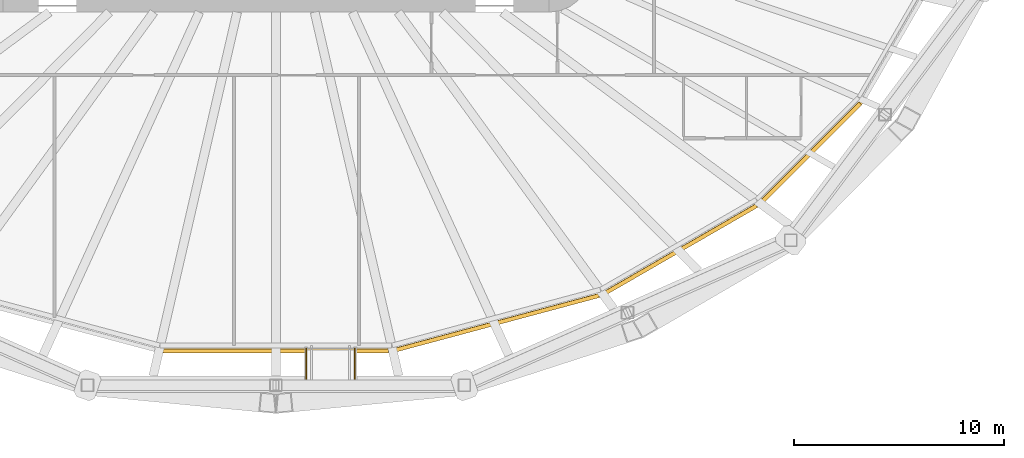
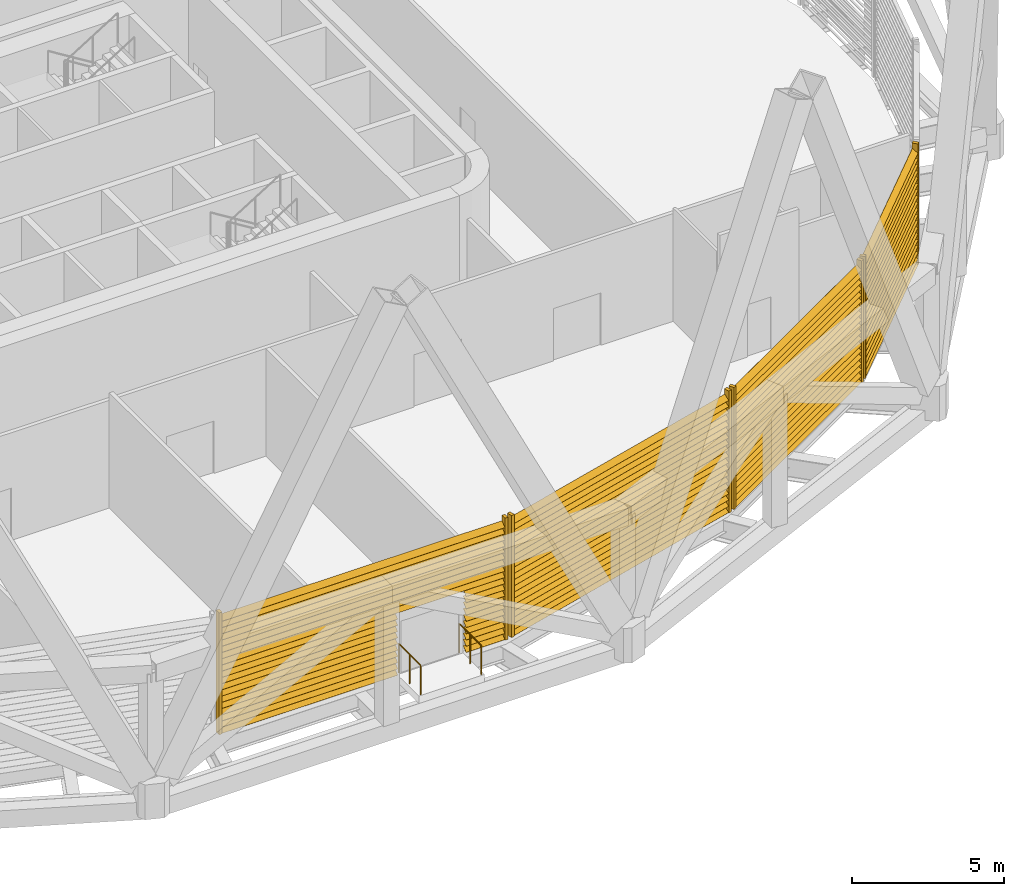
# One storey, part 14 of 18: 4 shading devices, 2 railings.
"""IFC4 building model written with IfcOpenShell, lengths in metres."""

from ifc_helpers import new_model, si_unit, direction, frame, origin, origin_2d, place, context, subcontext, project, spatial, rectangle, circle, extrude, material, type_object, element, save


model = new_model("IFC4")

# Units and contexts
model_context = context("Model", 3, precision=1e-05, world=origin(), true_north=direction((0.0, 1.0)))
body_context = subcontext(model_context, "Body", "Model", "MODEL_VIEW")
ifc_project = project(units=[si_unit("LENGTHUNIT", "METRE"), si_unit("AREAUNIT", "SQUARE_METRE"), si_unit("VOLUMEUNIT", "CUBIC_METRE"), si_unit("PLANEANGLEUNIT", "RADIAN"), si_unit("MASSUNIT", "GRAM", prefix="KILO")], contexts=[model_context])

# Site, building, storey
site_placement = place(None, origin())
site = spatial("IfcSite", under=ifc_project, at=site_placement, CompositionType="ELEMENT")
building_placement = place(site_placement, origin())
building = spatial("IfcBuilding", under=site, at=building_placement, Name="Sahrelin Media Tower", CompositionType="ELEMENT")
storey_placement = place(building_placement, frame((0.0, 0.0, 96.60009765625)))
storey = spatial("IfcBuildingStorey", under=building, at=storey_placement, Name="L18", CompositionType="ELEMENT", Elevation=96.60009765625)

# Railings
ifc_material_1 = material(Name="Stainless steel 316", Category="steel")
railing_type = type_object("IfcRailingType", Name="Maintenance platform guard", PredefinedType="GUARDRAIL", material=ifc_material_1)
for number, where, name in (
    (1, (1.449951171875, -24.01611328125, 0.0), "Maintenance platform guard L18-18-A"),
    (2, (3.75, -24.01611328125, 0.0), "Maintenance platform guard L18-18-B"),
):
    element("IfcRailing", number, at=place(storey_placement, frame(where)), inside=storey, type_object=railing_type, Name=name, PredefinedType="GUARDRAIL", context=body_context, shape_type="SweptSolid", body=[
        extrude(circle(Radius=0.02392578125, at=origin_2d()), frame((0.0, 0.0, 1.17578125), z_axis=(0.0, -1.0, 0.0), x_axis=(1.0, 0.0, 0.0)), (0.0, 0.0, 1.0), 1.445068359375),
        extrude(circle(Radius=0.02099609375, at=origin_2d()), origin(), (0.0, 0.0, 1.0), 1.15185546875),
        extrude(circle(Radius=0.02099609375, at=origin_2d()), frame((0.0, -0.72265625, 0.0)), (0.0, 0.0, 1.0), 1.15185546875),
        extrude(circle(Radius=0.02099609375, at=origin_2d()), frame((0.0, -1.445068359375, 0.0)), (0.0, 0.0, 1.0), 1.15185546875),
    ])

# Shading devices
ifc_material_2 = material(Name="Champagne anodised aluminium 6063-T6", Category="aluminium")
shading_device_type = type_object("IfcShadingDeviceType", Name="Sand-rejection louvre band", PredefinedType="USERDEFINED", material=ifc_material_2)
shading_device_1_placement = place(storey_placement, frame((0.0, -24.01611328125, 0.0), z_axis=(0.0, 0.0, 1.0), x_axis=(-1.0, 0.0, 0.0)))
element("IfcShadingDevice", 3, at=shading_device_1_placement, inside=storey, type_object=shading_device_type, Name="L18:LOUVRE:L18-18", ObjectType="LOUVRE", PredefinedType="USERDEFINED", context=body_context, shape_type="SweptSolid", body=[
    extrude(rectangle(XDim=0.1201171875, YDim=0.199951171875, at=origin_2d()), frame((5.429443359375, 0.10009765625, 0.050048828125), z_axis=(0.0, 0.0, 1.0), x_axis=(1.0, 0.0, 0.0)), (0.0, 0.0, 1.0), 4.8984375),
    extrude(rectangle(XDim=0.1201171875, YDim=0.199951171875, at=origin_2d()), frame((-5.429443359375, 0.10009765625, 0.050048828125), z_axis=(0.0, 0.0, 1.0), x_axis=(1.0, 0.0, 0.0)), (0.0, 0.0, 1.0), 4.8984375),
    extrude(rectangle(XDim=0.25, YDim=0.02001953125, at=origin_2d()), frame((5.369384765625, 0.10009765625, 0.14990234375), z_axis=(-1.0, 0.0, 0.0), x_axis=(0.0, -0.766044443119, 0.642787609687)), (0.0, 0.0, 1.0), 6.66943359375),
    extrude(rectangle(XDim=0.25, YDim=0.02001953125, at=origin_2d()), frame((-3.89990234375, 0.10009765625, 0.14990234375), z_axis=(-1.0, 0.0, 0.0), x_axis=(0.0, -0.766044443119, 0.642787609687)), (0.0, 0.0, 1.0), 1.469482421875),
    extrude(rectangle(XDim=0.25, YDim=0.02001953125, at=origin_2d()), frame((5.369384765625, 0.10009765625, 0.39990234375), z_axis=(-1.0, 0.0, 0.0), x_axis=(0.0, -0.766044443119, 0.642787609687)), (0.0, 0.0, 1.0), 6.66943359375),
    extrude(rectangle(XDim=0.25, YDim=0.02001953125, at=origin_2d()), frame((-3.89990234375, 0.10009765625, 0.39990234375), z_axis=(-1.0, 0.0, 0.0), x_axis=(0.0, -0.766044443119, 0.642787609687)), (0.0, 0.0, 1.0), 1.469482421875),
    extrude(rectangle(XDim=0.25, YDim=0.02001953125, at=origin_2d()), frame((5.369384765625, 0.10009765625, 0.64990234375), z_axis=(-1.0, 0.0, 0.0), x_axis=(0.0, -0.766044443119, 0.642787609687)), (0.0, 0.0, 1.0), 6.66943359375),
    extrude(rectangle(XDim=0.25, YDim=0.02001953125, at=origin_2d()), frame((-3.89990234375, 0.10009765625, 0.64990234375), z_axis=(-1.0, 0.0, 0.0), x_axis=(0.0, -0.766044443119, 0.642787609687)), (0.0, 0.0, 1.0), 1.469482421875),
    extrude(rectangle(XDim=0.25, YDim=0.02001953125, at=origin_2d()), frame((5.369384765625, 0.10009765625, 0.89990234375), z_axis=(-1.0, 0.0, 0.0), x_axis=(0.0, -0.766044443119, 0.642787609687)), (0.0, 0.0, 1.0), 6.66943359375),
    extrude(rectangle(XDim=0.25, YDim=0.02001953125, at=origin_2d()), frame((-3.89990234375, 0.10009765625, 0.89990234375), z_axis=(-1.0, 0.0, 0.0), x_axis=(0.0, -0.766044443119, 0.642787609687)), (0.0, 0.0, 1.0), 1.469482421875),
    extrude(rectangle(XDim=0.25, YDim=0.02001953125, at=origin_2d()), frame((5.369384765625, 0.10009765625, 1.14990234375), z_axis=(-1.0, 0.0, 0.0), x_axis=(0.0, -0.766044443119, 0.642787609687)), (0.0, 0.0, 1.0), 6.66943359375),
    extrude(rectangle(XDim=0.25, YDim=0.02001953125, at=origin_2d()), frame((-3.89990234375, 0.10009765625, 1.14990234375), z_axis=(-1.0, 0.0, 0.0), x_axis=(0.0, -0.766044443119, 0.642787609687)), (0.0, 0.0, 1.0), 1.469482421875),
    extrude(rectangle(XDim=0.25, YDim=0.02001953125, at=origin_2d()), frame((5.369384765625, 0.10009765625, 1.39990234375), z_axis=(-1.0, 0.0, 0.0), x_axis=(0.0, -0.766044443119, 0.642787609687)), (0.0, 0.0, 1.0), 6.66943359375),
    extrude(rectangle(XDim=0.25, YDim=0.02001953125, at=origin_2d()), frame((-3.89990234375, 0.10009765625, 1.39990234375), z_axis=(-1.0, 0.0, 0.0), x_axis=(0.0, -0.766044443119, 0.642787609687)), (0.0, 0.0, 1.0), 1.469482421875),
    extrude(rectangle(XDim=0.25, YDim=0.02001953125, at=origin_2d()), frame((5.369384765625, 0.10009765625, 1.64990234375), z_axis=(-1.0, 0.0, 0.0), x_axis=(0.0, -0.766044443119, 0.642787609687)), (0.0, 0.0, 1.0), 6.66943359375),
    extrude(rectangle(XDim=0.25, YDim=0.02001953125, at=origin_2d()), frame((-3.89990234375, 0.10009765625, 1.64990234375), z_axis=(-1.0, 0.0, 0.0), x_axis=(0.0, -0.766044443119, 0.642787609687)), (0.0, 0.0, 1.0), 1.469482421875),
    extrude(rectangle(XDim=0.25, YDim=0.02001953125, at=origin_2d()), frame((5.369384765625, 0.10009765625, 1.89990234375), z_axis=(-1.0, 0.0, 0.0), x_axis=(0.0, -0.766044443119, 0.642787609687)), (0.0, 0.0, 1.0), 6.66943359375),
    extrude(rectangle(XDim=0.25, YDim=0.02001953125, at=origin_2d()), frame((-3.89990234375, 0.10009765625, 1.89990234375), z_axis=(-1.0, 0.0, 0.0), x_axis=(0.0, -0.766044443119, 0.642787609687)), (0.0, 0.0, 1.0), 1.469482421875),
    extrude(rectangle(XDim=0.25, YDim=0.02001953125, at=origin_2d()), frame((5.369384765625, 0.10009765625, 2.14990234375), z_axis=(-1.0, 0.0, 0.0), x_axis=(0.0, -0.766044443119, 0.642787609687)), (0.0, 0.0, 1.0), 6.66943359375),
    extrude(rectangle(XDim=0.25, YDim=0.02001953125, at=origin_2d()), frame((-3.89990234375, 0.10009765625, 2.14990234375), z_axis=(-1.0, 0.0, 0.0), x_axis=(0.0, -0.766044443119, 0.642787609687)), (0.0, 0.0, 1.0), 1.469482421875),
    extrude(rectangle(XDim=0.25, YDim=0.02001953125, at=origin_2d()), frame((5.369384765625, 0.10009765625, 2.39990234375), z_axis=(-1.0, 0.0, 0.0), x_axis=(0.0, -0.766044443119, 0.642787609687)), (0.0, 0.0, 1.0), 6.66943359375),
    extrude(rectangle(XDim=0.25, YDim=0.02001953125, at=origin_2d()), frame((-3.89990234375, 0.10009765625, 2.39990234375), z_axis=(-1.0, 0.0, 0.0), x_axis=(0.0, -0.766044443119, 0.642787609687)), (0.0, 0.0, 1.0), 1.469482421875),
    extrude(rectangle(XDim=0.25, YDim=0.02001953125, at=origin_2d()), frame((5.369384765625, 0.10009765625, 2.64990234375), z_axis=(-1.0, 0.0, 0.0), x_axis=(0.0, -0.766044443119, 0.642787609687)), (0.0, 0.0, 1.0), 10.73876953125),
    extrude(rectangle(XDim=0.25, YDim=0.02001953125, at=origin_2d()), frame((5.369384765625, 0.10009765625, 2.89990234375), z_axis=(-1.0, 0.0, 0.0), x_axis=(0.0, -0.766044443119, 0.642787609687)), (0.0, 0.0, 1.0), 10.73876953125),
    extrude(rectangle(XDim=0.25, YDim=0.02001953125, at=origin_2d()), frame((5.369384765625, 0.10009765625, 3.14990234375), z_axis=(-1.0, 0.0, 0.0), x_axis=(0.0, -0.766044443119, 0.642787609687)), (0.0, 0.0, 1.0), 10.73876953125),
    extrude(rectangle(XDim=0.25, YDim=0.02001953125, at=origin_2d()), frame((5.369384765625, 0.10009765625, 3.39990234375), z_axis=(-1.0, 0.0, 0.0), x_axis=(0.0, -0.766044443119, 0.642787609687)), (0.0, 0.0, 1.0), 10.73876953125),
    extrude(rectangle(XDim=0.25, YDim=0.02001953125, at=origin_2d()), frame((5.369384765625, 0.10009765625, 3.64990234375), z_axis=(-1.0, 0.0, 0.0), x_axis=(0.0, -0.766044443119, 0.642787609687)), (0.0, 0.0, 1.0), 10.73876953125),
    extrude(rectangle(XDim=0.25, YDim=0.02001953125, at=origin_2d()), frame((5.369384765625, 0.10009765625, 3.89990234375), z_axis=(-1.0, 0.0, 0.0), x_axis=(0.0, -0.766044443119, 0.642787609687)), (0.0, 0.0, 1.0), 10.73876953125),
    extrude(rectangle(XDim=0.25, YDim=0.02001953125, at=origin_2d()), frame((5.369384765625, 0.10009765625, 4.14990234375), z_axis=(-1.0, 0.0, 0.0), x_axis=(0.0, -0.766044443119, 0.642787609687)), (0.0, 0.0, 1.0), 10.73876953125),
    extrude(rectangle(XDim=0.25, YDim=0.02001953125, at=origin_2d()), frame((5.369384765625, 0.10009765625, 4.39990234375), z_axis=(-1.0, 0.0, 0.0), x_axis=(0.0, -0.766044443119, 0.642787609687)), (0.0, 0.0, 1.0), 10.73876953125),
    extrude(rectangle(XDim=0.25, YDim=0.02001953125, at=origin_2d()), frame((5.369384765625, 0.10009765625, 4.64990234375), z_axis=(-1.0, 0.0, 0.0), x_axis=(0.0, -0.766044443119, 0.642787609687)), (0.0, 0.0, 1.0), 10.73876953125),
])
shading_device_2_placement = place(storey_placement, frame((10.523681640625, -22.6806640625, 0.0), z_axis=(0.0, 0.0, 1.0), x_axis=(-0.965928857556, -0.258807731996, 0.0)))
element("IfcShadingDevice", 4, at=shading_device_2_placement, inside=storey, type_object=shading_device_type, Name="L18:LOUVRE:L18-19", ObjectType="LOUVRE", PredefinedType="USERDEFINED", context=body_context, shape_type="SweptSolid", body=[
    extrude(rectangle(XDim=0.1201171875, YDim=0.199951171875, at=origin_2d()), frame((5.050048828125, 0.10009765625, 0.050048828125), z_axis=(0.0, 0.0, 1.0), x_axis=(1.0, 0.0, 0.0)), (0.0, 0.0, 1.0), 4.8984375),
    extrude(rectangle(XDim=0.1201171875, YDim=0.199951171875, at=origin_2d()), frame((-5.050048828125, 0.10009765625, 0.050048828125), z_axis=(0.0, 0.0, 1.0), x_axis=(1.0, 0.0, 0.0)), (0.0, 0.0, 1.0), 4.8984375),
    extrude(rectangle(XDim=0.25, YDim=0.02001953125, at=origin_2d()), frame((4.989990234375, 0.10009765625, 0.14990234375), z_axis=(-1.0, 0.0, 0.0), x_axis=(0.0, -0.766044443119, 0.642787609687)), (0.0, 0.0, 1.0), 9.97998046875),
    extrude(rectangle(XDim=0.25, YDim=0.02001953125, at=origin_2d()), frame((4.989990234375, 0.10009765625, 0.39990234375), z_axis=(-1.0, 0.0, 0.0), x_axis=(0.0, -0.766044443119, 0.642787609687)), (0.0, 0.0, 1.0), 9.97998046875),
    extrude(rectangle(XDim=0.25, YDim=0.02001953125, at=origin_2d()), frame((4.989990234375, 0.10009765625, 0.64990234375), z_axis=(-1.0, 0.0, 0.0), x_axis=(0.0, -0.766044443119, 0.642787609687)), (0.0, 0.0, 1.0), 9.97998046875),
    extrude(rectangle(XDim=0.25, YDim=0.02001953125, at=origin_2d()), frame((4.989990234375, 0.10009765625, 0.89990234375), z_axis=(-1.0, 0.0, 0.0), x_axis=(0.0, -0.766044443119, 0.642787609687)), (0.0, 0.0, 1.0), 9.97998046875),
    extrude(rectangle(XDim=0.25, YDim=0.02001953125, at=origin_2d()), frame((4.989990234375, 0.10009765625, 1.14990234375), z_axis=(-1.0, 0.0, 0.0), x_axis=(0.0, -0.766044443119, 0.642787609687)), (0.0, 0.0, 1.0), 9.97998046875),
    extrude(rectangle(XDim=0.25, YDim=0.02001953125, at=origin_2d()), frame((4.989990234375, 0.10009765625, 1.39990234375), z_axis=(-1.0, 0.0, 0.0), x_axis=(0.0, -0.766044443119, 0.642787609687)), (0.0, 0.0, 1.0), 9.97998046875),
    extrude(rectangle(XDim=0.25, YDim=0.02001953125, at=origin_2d()), frame((4.989990234375, 0.10009765625, 1.64990234375), z_axis=(-1.0, 0.0, 0.0), x_axis=(0.0, -0.766044443119, 0.642787609687)), (0.0, 0.0, 1.0), 9.97998046875),
    extrude(rectangle(XDim=0.25, YDim=0.02001953125, at=origin_2d()), frame((4.989990234375, 0.10009765625, 1.89990234375), z_axis=(-1.0, 0.0, 0.0), x_axis=(0.0, -0.766044443119, 0.642787609687)), (0.0, 0.0, 1.0), 9.97998046875),
    extrude(rectangle(XDim=0.25, YDim=0.02001953125, at=origin_2d()), frame((4.989990234375, 0.10009765625, 2.14990234375), z_axis=(-1.0, 0.0, 0.0), x_axis=(0.0, -0.766044443119, 0.642787609687)), (0.0, 0.0, 1.0), 9.97998046875),
    extrude(rectangle(XDim=0.25, YDim=0.02001953125, at=origin_2d()), frame((4.989990234375, 0.10009765625, 2.39990234375), z_axis=(-1.0, 0.0, 0.0), x_axis=(0.0, -0.766044443119, 0.642787609687)), (0.0, 0.0, 1.0), 9.97998046875),
    extrude(rectangle(XDim=0.25, YDim=0.02001953125, at=origin_2d()), frame((4.989990234375, 0.10009765625, 2.64990234375), z_axis=(-1.0, 0.0, 0.0), x_axis=(0.0, -0.766044443119, 0.642787609687)), (0.0, 0.0, 1.0), 9.97998046875),
    extrude(rectangle(XDim=0.25, YDim=0.02001953125, at=origin_2d()), frame((4.989990234375, 0.10009765625, 2.89990234375), z_axis=(-1.0, 0.0, 0.0), x_axis=(0.0, -0.766044443119, 0.642787609687)), (0.0, 0.0, 1.0), 9.97998046875),
    extrude(rectangle(XDim=0.25, YDim=0.02001953125, at=origin_2d()), frame((4.989990234375, 0.10009765625, 3.14990234375), z_axis=(-1.0, 0.0, 0.0), x_axis=(0.0, -0.766044443119, 0.642787609687)), (0.0, 0.0, 1.0), 9.97998046875),
    extrude(rectangle(XDim=0.25, YDim=0.02001953125, at=origin_2d()), frame((4.989990234375, 0.10009765625, 3.39990234375), z_axis=(-1.0, 0.0, 0.0), x_axis=(0.0, -0.766044443119, 0.642787609687)), (0.0, 0.0, 1.0), 9.97998046875),
    extrude(rectangle(XDim=0.25, YDim=0.02001953125, at=origin_2d()), frame((4.989990234375, 0.10009765625, 3.64990234375), z_axis=(-1.0, 0.0, 0.0), x_axis=(0.0, -0.766044443119, 0.642787609687)), (0.0, 0.0, 1.0), 9.97998046875),
    extrude(rectangle(XDim=0.25, YDim=0.02001953125, at=origin_2d()), frame((4.989990234375, 0.10009765625, 3.89990234375), z_axis=(-1.0, 0.0, 0.0), x_axis=(0.0, -0.766044443119, 0.642787609687)), (0.0, 0.0, 1.0), 9.97998046875),
    extrude(rectangle(XDim=0.25, YDim=0.02001953125, at=origin_2d()), frame((4.989990234375, 0.10009765625, 4.14990234375), z_axis=(-1.0, 0.0, 0.0), x_axis=(0.0, -0.766044443119, 0.642787609687)), (0.0, 0.0, 1.0), 9.97998046875),
    extrude(rectangle(XDim=0.25, YDim=0.02001953125, at=origin_2d()), frame((4.989990234375, 0.10009765625, 4.39990234375), z_axis=(-1.0, 0.0, 0.0), x_axis=(0.0, -0.766044443119, 0.642787609687)), (0.0, 0.0, 1.0), 9.97998046875),
    extrude(rectangle(XDim=0.25, YDim=0.02001953125, at=origin_2d()), frame((4.989990234375, 0.10009765625, 4.64990234375), z_axis=(-1.0, 0.0, 0.0), x_axis=(0.0, -0.766044443119, 0.642787609687)), (0.0, 0.0, 1.0), 9.97998046875),
])
shading_device_3_placement = place(storey_placement, frame((19.237548828125, -19.191650390625, 0.0), z_axis=(0.0, 0.0, 1.0), x_axis=(-0.866019052629, -0.500011000363, 0.0)))
element("IfcShadingDevice", 5, at=shading_device_3_placement, inside=storey, type_object=shading_device_type, Name="L18:LOUVRE:L18-20", ObjectType="LOUVRE", PredefinedType="USERDEFINED", context=body_context, shape_type="SweptSolid", body=[
    extrude(rectangle(XDim=0.1201171875, YDim=0.199951171875, at=origin_2d()), frame((4.19677734375, 0.10009765625, 0.050048828125), z_axis=(0.0, 0.0, 1.0), x_axis=(1.0, 0.0, 0.0)), (0.0, 0.0, 1.0), 4.8984375),
    extrude(rectangle(XDim=0.1201171875, YDim=0.199951171875, at=origin_2d()), frame((-4.19677734375, 0.10009765625, 0.050048828125), z_axis=(0.0, 0.0, 1.0), x_axis=(1.0, 0.0, 0.0)), (0.0, 0.0, 1.0), 4.8984375),
    extrude(rectangle(XDim=0.25, YDim=0.02001953125, at=origin_2d()), frame((4.13671875, 0.10009765625, 0.14990234375), z_axis=(-1.0, 0.0, 0.0), x_axis=(0.0, -0.766044443119, 0.642787609687)), (0.0, 0.0, 1.0), 8.2734375),
    extrude(rectangle(XDim=0.25, YDim=0.02001953125, at=origin_2d()), frame((4.13671875, 0.10009765625, 0.39990234375), z_axis=(-1.0, 0.0, 0.0), x_axis=(0.0, -0.766044443119, 0.642787609687)), (0.0, 0.0, 1.0), 8.2734375),
    extrude(rectangle(XDim=0.25, YDim=0.02001953125, at=origin_2d()), frame((4.13671875, 0.10009765625, 0.64990234375), z_axis=(-1.0, 0.0, 0.0), x_axis=(0.0, -0.766044443119, 0.642787609687)), (0.0, 0.0, 1.0), 8.2734375),
    extrude(rectangle(XDim=0.25, YDim=0.02001953125, at=origin_2d()), frame((4.13671875, 0.10009765625, 0.89990234375), z_axis=(-1.0, 0.0, 0.0), x_axis=(0.0, -0.766044443119, 0.642787609687)), (0.0, 0.0, 1.0), 8.2734375),
    extrude(rectangle(XDim=0.25, YDim=0.02001953125, at=origin_2d()), frame((4.13671875, 0.10009765625, 1.14990234375), z_axis=(-1.0, 0.0, 0.0), x_axis=(0.0, -0.766044443119, 0.642787609687)), (0.0, 0.0, 1.0), 8.2734375),
    extrude(rectangle(XDim=0.25, YDim=0.02001953125, at=origin_2d()), frame((4.13671875, 0.10009765625, 1.39990234375), z_axis=(-1.0, 0.0, 0.0), x_axis=(0.0, -0.766044443119, 0.642787609687)), (0.0, 0.0, 1.0), 8.2734375),
    extrude(rectangle(XDim=0.25, YDim=0.02001953125, at=origin_2d()), frame((4.13671875, 0.10009765625, 1.64990234375), z_axis=(-1.0, 0.0, 0.0), x_axis=(0.0, -0.766044443119, 0.642787609687)), (0.0, 0.0, 1.0), 8.2734375),
    extrude(rectangle(XDim=0.25, YDim=0.02001953125, at=origin_2d()), frame((4.13671875, 0.10009765625, 1.89990234375), z_axis=(-1.0, 0.0, 0.0), x_axis=(0.0, -0.766044443119, 0.642787609687)), (0.0, 0.0, 1.0), 8.2734375),
    extrude(rectangle(XDim=0.25, YDim=0.02001953125, at=origin_2d()), frame((4.13671875, 0.10009765625, 2.14990234375), z_axis=(-1.0, 0.0, 0.0), x_axis=(0.0, -0.766044443119, 0.642787609687)), (0.0, 0.0, 1.0), 8.2734375),
    extrude(rectangle(XDim=0.25, YDim=0.02001953125, at=origin_2d()), frame((4.13671875, 0.10009765625, 2.39990234375), z_axis=(-1.0, 0.0, 0.0), x_axis=(0.0, -0.766044443119, 0.642787609687)), (0.0, 0.0, 1.0), 8.2734375),
    extrude(rectangle(XDim=0.25, YDim=0.02001953125, at=origin_2d()), frame((4.13671875, 0.10009765625, 2.64990234375), z_axis=(-1.0, 0.0, 0.0), x_axis=(0.0, -0.766044443119, 0.642787609687)), (0.0, 0.0, 1.0), 8.2734375),
    extrude(rectangle(XDim=0.25, YDim=0.02001953125, at=origin_2d()), frame((4.13671875, 0.10009765625, 2.89990234375), z_axis=(-1.0, 0.0, 0.0), x_axis=(0.0, -0.766044443119, 0.642787609687)), (0.0, 0.0, 1.0), 8.2734375),
    extrude(rectangle(XDim=0.25, YDim=0.02001953125, at=origin_2d()), frame((4.13671875, 0.10009765625, 3.14990234375), z_axis=(-1.0, 0.0, 0.0), x_axis=(0.0, -0.766044443119, 0.642787609687)), (0.0, 0.0, 1.0), 8.2734375),
    extrude(rectangle(XDim=0.25, YDim=0.02001953125, at=origin_2d()), frame((4.13671875, 0.10009765625, 3.39990234375), z_axis=(-1.0, 0.0, 0.0), x_axis=(0.0, -0.766044443119, 0.642787609687)), (0.0, 0.0, 1.0), 8.2734375),
    extrude(rectangle(XDim=0.25, YDim=0.02001953125, at=origin_2d()), frame((4.13671875, 0.10009765625, 3.64990234375), z_axis=(-1.0, 0.0, 0.0), x_axis=(0.0, -0.766044443119, 0.642787609687)), (0.0, 0.0, 1.0), 8.2734375),
    extrude(rectangle(XDim=0.25, YDim=0.02001953125, at=origin_2d()), frame((4.13671875, 0.10009765625, 3.89990234375), z_axis=(-1.0, 0.0, 0.0), x_axis=(0.0, -0.766044443119, 0.642787609687)), (0.0, 0.0, 1.0), 8.2734375),
    extrude(rectangle(XDim=0.25, YDim=0.02001953125, at=origin_2d()), frame((4.13671875, 0.10009765625, 4.14990234375), z_axis=(-1.0, 0.0, 0.0), x_axis=(0.0, -0.766044443119, 0.642787609687)), (0.0, 0.0, 1.0), 8.2734375),
    extrude(rectangle(XDim=0.25, YDim=0.02001953125, at=origin_2d()), frame((4.13671875, 0.10009765625, 4.39990234375), z_axis=(-1.0, 0.0, 0.0), x_axis=(0.0, -0.766044443119, 0.642787609687)), (0.0, 0.0, 1.0), 8.2734375),
    extrude(rectangle(XDim=0.25, YDim=0.02001953125, at=origin_2d()), frame((4.13671875, 0.10009765625, 4.64990234375), z_axis=(-1.0, 0.0, 0.0), x_axis=(0.0, -0.766044443119, 0.642787609687)), (0.0, 0.0, 1.0), 8.2734375),
])
shading_device_4_placement = place(storey_placement, frame((25.4111328125, -14.59423828125, 0.0), z_axis=(0.0, 0.0, 1.0), x_axis=(-0.707106781187, -0.707106781187, 0.0)))
element("IfcShadingDevice", 6, at=shading_device_4_placement, inside=storey, type_object=shading_device_type, Name="L18:LOUVRE:L18-21", ObjectType="LOUVRE", PredefinedType="USERDEFINED", context=body_context, shape_type="SweptSolid", body=[
    extrude(rectangle(XDim=0.1201171875, YDim=0.199951171875, at=origin_2d()), frame((3.34619140625, 0.10009765625, 0.050048828125), z_axis=(0.0, 0.0, 1.0), x_axis=(1.0, 0.0, 0.0)), (0.0, 0.0, 1.0), 4.8984375),
    extrude(rectangle(XDim=0.1201171875, YDim=0.199951171875, at=origin_2d()), frame((-3.34619140625, 0.10009765625, 0.050048828125), z_axis=(0.0, 0.0, 1.0), x_axis=(1.0, 0.0, 0.0)), (0.0, 0.0, 1.0), 4.8984375),
    extrude(rectangle(XDim=0.25, YDim=0.02001953125, at=origin_2d()), frame((3.286376953125, 0.10009765625, 0.14990234375), z_axis=(-1.0, 0.0, 0.0), x_axis=(0.0, -0.766044443119, 0.642787609687)), (0.0, 0.0, 1.0), 6.57275390625),
    extrude(rectangle(XDim=0.25, YDim=0.02001953125, at=origin_2d()), frame((3.286376953125, 0.10009765625, 0.39990234375), z_axis=(-1.0, 0.0, 0.0), x_axis=(0.0, -0.766044443119, 0.642787609687)), (0.0, 0.0, 1.0), 6.57275390625),
    extrude(rectangle(XDim=0.25, YDim=0.02001953125, at=origin_2d()), frame((3.286376953125, 0.10009765625, 0.64990234375), z_axis=(-1.0, 0.0, 0.0), x_axis=(0.0, -0.766044443119, 0.642787609687)), (0.0, 0.0, 1.0), 6.57275390625),
    extrude(rectangle(XDim=0.25, YDim=0.02001953125, at=origin_2d()), frame((3.286376953125, 0.10009765625, 0.89990234375), z_axis=(-1.0, 0.0, 0.0), x_axis=(0.0, -0.766044443119, 0.642787609687)), (0.0, 0.0, 1.0), 6.57275390625),
    extrude(rectangle(XDim=0.25, YDim=0.02001953125, at=origin_2d()), frame((3.286376953125, 0.10009765625, 1.14990234375), z_axis=(-1.0, 0.0, 0.0), x_axis=(0.0, -0.766044443119, 0.642787609687)), (0.0, 0.0, 1.0), 6.57275390625),
    extrude(rectangle(XDim=0.25, YDim=0.02001953125, at=origin_2d()), frame((3.286376953125, 0.10009765625, 1.39990234375), z_axis=(-1.0, 0.0, 0.0), x_axis=(0.0, -0.766044443119, 0.642787609687)), (0.0, 0.0, 1.0), 6.57275390625),
    extrude(rectangle(XDim=0.25, YDim=0.02001953125, at=origin_2d()), frame((3.286376953125, 0.10009765625, 1.64990234375), z_axis=(-1.0, 0.0, 0.0), x_axis=(0.0, -0.766044443119, 0.642787609687)), (0.0, 0.0, 1.0), 6.57275390625),
    extrude(rectangle(XDim=0.25, YDim=0.02001953125, at=origin_2d()), frame((3.286376953125, 0.10009765625, 1.89990234375), z_axis=(-1.0, 0.0, 0.0), x_axis=(0.0, -0.766044443119, 0.642787609687)), (0.0, 0.0, 1.0), 6.57275390625),
    extrude(rectangle(XDim=0.25, YDim=0.02001953125, at=origin_2d()), frame((3.286376953125, 0.10009765625, 2.14990234375), z_axis=(-1.0, 0.0, 0.0), x_axis=(0.0, -0.766044443119, 0.642787609687)), (0.0, 0.0, 1.0), 6.57275390625),
    extrude(rectangle(XDim=0.25, YDim=0.02001953125, at=origin_2d()), frame((3.286376953125, 0.10009765625, 2.39990234375), z_axis=(-1.0, 0.0, 0.0), x_axis=(0.0, -0.766044443119, 0.642787609687)), (0.0, 0.0, 1.0), 6.57275390625),
    extrude(rectangle(XDim=0.25, YDim=0.02001953125, at=origin_2d()), frame((3.286376953125, 0.10009765625, 2.64990234375), z_axis=(-1.0, 0.0, 0.0), x_axis=(0.0, -0.766044443119, 0.642787609687)), (0.0, 0.0, 1.0), 6.57275390625),
    extrude(rectangle(XDim=0.25, YDim=0.02001953125, at=origin_2d()), frame((3.286376953125, 0.10009765625, 2.89990234375), z_axis=(-1.0, 0.0, 0.0), x_axis=(0.0, -0.766044443119, 0.642787609687)), (0.0, 0.0, 1.0), 6.57275390625),
    extrude(rectangle(XDim=0.25, YDim=0.02001953125, at=origin_2d()), frame((3.286376953125, 0.10009765625, 3.14990234375), z_axis=(-1.0, 0.0, 0.0), x_axis=(0.0, -0.766044443119, 0.642787609687)), (0.0, 0.0, 1.0), 6.57275390625),
    extrude(rectangle(XDim=0.25, YDim=0.02001953125, at=origin_2d()), frame((3.286376953125, 0.10009765625, 3.39990234375), z_axis=(-1.0, 0.0, 0.0), x_axis=(0.0, -0.766044443119, 0.642787609687)), (0.0, 0.0, 1.0), 6.57275390625),
    extrude(rectangle(XDim=0.25, YDim=0.02001953125, at=origin_2d()), frame((3.286376953125, 0.10009765625, 3.64990234375), z_axis=(-1.0, 0.0, 0.0), x_axis=(0.0, -0.766044443119, 0.642787609687)), (0.0, 0.0, 1.0), 6.57275390625),
    extrude(rectangle(XDim=0.25, YDim=0.02001953125, at=origin_2d()), frame((3.286376953125, 0.10009765625, 3.89990234375), z_axis=(-1.0, 0.0, 0.0), x_axis=(0.0, -0.766044443119, 0.642787609687)), (0.0, 0.0, 1.0), 6.57275390625),
    extrude(rectangle(XDim=0.25, YDim=0.02001953125, at=origin_2d()), frame((3.286376953125, 0.10009765625, 4.14990234375), z_axis=(-1.0, 0.0, 0.0), x_axis=(0.0, -0.766044443119, 0.642787609687)), (0.0, 0.0, 1.0), 6.57275390625),
    extrude(rectangle(XDim=0.25, YDim=0.02001953125, at=origin_2d()), frame((3.286376953125, 0.10009765625, 4.39990234375), z_axis=(-1.0, 0.0, 0.0), x_axis=(0.0, -0.766044443119, 0.642787609687)), (0.0, 0.0, 1.0), 6.57275390625),
    extrude(rectangle(XDim=0.25, YDim=0.02001953125, at=origin_2d()), frame((3.286376953125, 0.10009765625, 4.64990234375), z_axis=(-1.0, 0.0, 0.0), x_axis=(0.0, -0.766044443119, 0.642787609687)), (0.0, 0.0, 1.0), 6.57275390625),
])

save(model, "model.ifc")
